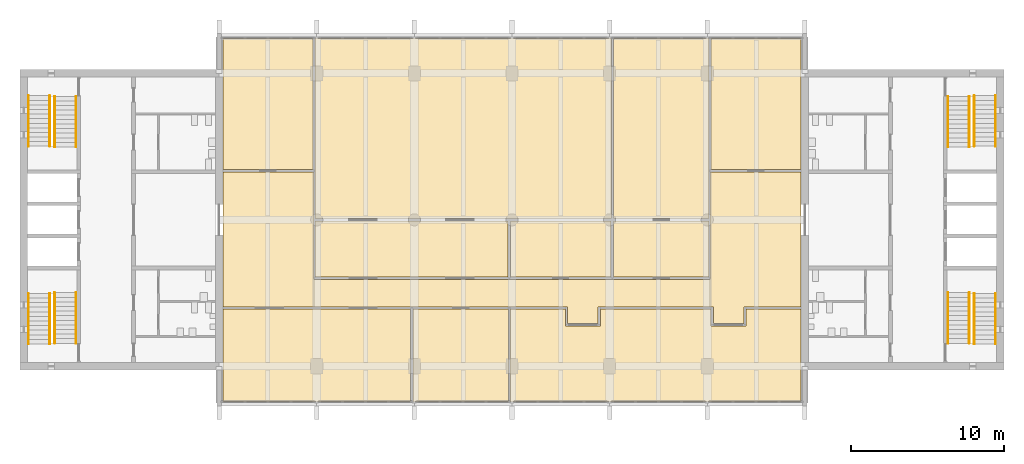
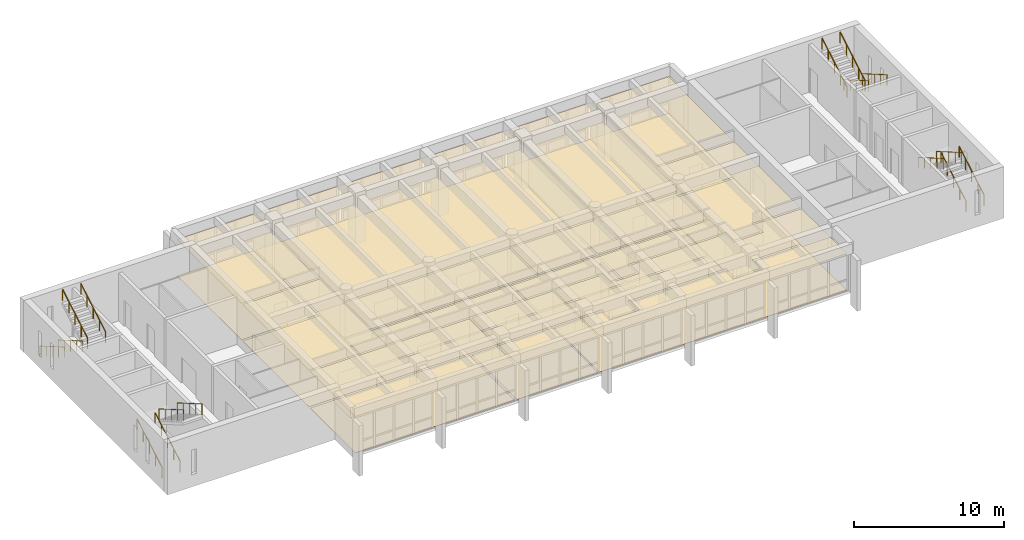
# One storey, part 14 of 15: 26 coverings, 16 railings.
"""IFC4 building model written with IfcOpenShell, lengths in metres."""

from ifc_helpers import new_model, si_unit, direction, frame, origin, origin_2d, place, context, subcontext, project, spatial, polyline, circle, outline, extrude, material, layer, layer_set, type_object, element, save


model = new_model("IFC4")

# Units and contexts
model_context = context("Model", 3, precision=1e-05, world=origin(), true_north=direction((0.0, 1.0)))
body_context = subcontext(model_context, "Body", "Model", "MODEL_VIEW")
ifc_project = project(units=[si_unit("LENGTHUNIT", "METRE"), si_unit("AREAUNIT", "SQUARE_METRE"), si_unit("VOLUMEUNIT", "CUBIC_METRE"), si_unit("PLANEANGLEUNIT", "RADIAN"), si_unit("MASSUNIT", "GRAM", prefix="KILO")], contexts=[model_context])

# Site, building, storey
site_placement = place(None, origin())
site = spatial("IfcSite", under=ifc_project, at=site_placement, CompositionType="ELEMENT")
building_placement = place(site_placement, origin())
building = spatial("IfcBuilding", under=site, at=building_placement, Name="Fogon Plaza Fire Station and Headquarters Tower", CompositionType="ELEMENT")
storey_placement = place(building_placement, frame((0.0, 0.0, 60.0)))
storey = spatial("IfcBuildingStorey", under=building, at=storey_placement, Name="L15", CompositionType="ELEMENT", Elevation=60.0)

# Railings
ifc_material_1 = material(Name="Steel", Category="steel")
railing_type = type_object("IfcRailingType", Name="Stair Handrail 900", PredefinedType="HANDRAIL", material=ifc_material_1)
for number, where, name in (
    (1, (13.10009765625, 35.06005859375, 0.175048828125), "Handrail ST1"),
    (2, (14.5, 35.06005859375, 0.175048828125), "Handrail ST1"),
):
    element("IfcRailing", number, at=place(storey_placement, frame(where)), inside=storey, type_object=railing_type, Name=name, PredefinedType="HANDRAIL", context=body_context, shape_type="SweptSolid", body=[
        extrude(circle(Radius=0.02392578125, at=origin_2d()), frame((0.0, 0.0, 0.8759765625), z_axis=(0.0, 0.864761289162, 0.502183146637), x_axis=(-1.0, 0.0, 0.0)), (0.0, 0.0, 1.0), 3.833251953125),
        extrude(circle(Radius=0.02099609375, at=origin_2d()), origin(), (0.0, 0.0, 1.0), 0.851806640625),
        extrude(circle(Radius=0.02099609375, at=origin_2d()), frame((0.0, 0.82861328125, 0.481201171875)), (0.0, 0.0, 1.0), 0.851806640625),
        extrude(circle(Radius=0.02099609375, at=origin_2d()), frame((0.0, 1.657470703125, 0.96240234375)), (0.0, 0.0, 1.0), 0.851806640625),
        extrude(circle(Radius=0.02099609375, at=origin_2d()), frame((0.0, 2.486328125, 1.44384765625)), (0.0, 0.0, 1.0), 0.851806640625),
        extrude(circle(Radius=0.02099609375, at=origin_2d()), frame((0.0, 3.31494140625, 1.925048828125)), (0.0, 0.0, 1.0), 0.851806640625),
    ])
for number, where, name in (
    (3, (16.22509765625, 38.425048828125, 2.27490234375), "Handrail ST1"),
    (4, (14.824951171875, 38.425048828125, 2.27490234375), "Handrail ST1"),
):
    element("IfcRailing", number, at=place(storey_placement, frame(where)), inside=storey, type_object=railing_type, Name=name, PredefinedType="HANDRAIL", context=body_context, shape_type="SweptSolid", body=[
        extrude(circle(Radius=0.02392578125, at=origin_2d()), frame((0.0, 0.0, 0.8759765625), z_axis=(0.0, -0.864761289162, 0.502183146637), x_axis=(1.0, 0.0, 0.0)), (0.0, 0.0, 1.0), 3.833251953125),
        extrude(circle(Radius=0.02099609375, at=origin_2d()), origin(), (0.0, 0.0, 1.0), 0.851806640625),
        extrude(circle(Radius=0.02099609375, at=origin_2d()), frame((0.0, -0.82861328125, 0.481201171875)), (0.0, 0.0, 1.0), 0.851806640625),
        extrude(circle(Radius=0.02099609375, at=origin_2d()), frame((0.0, -1.657470703125, 0.96240234375)), (0.0, 0.0, 1.0), 0.851806640625),
        extrude(circle(Radius=0.02099609375, at=origin_2d()), frame((0.0, -2.486328125, 1.44384765625)), (0.0, 0.0, 1.0), 0.851806640625),
        extrude(circle(Radius=0.02099609375, at=origin_2d()), frame((0.0, -3.31494140625, 1.925048828125)), (0.0, 0.0, 1.0), 0.851806640625),
    ])
for number, where, name in (
    (5, (13.10009765625, 51.340087890625, 0.175048828125), "Handrail ST2"),
    (6, (14.5, 51.340087890625, 0.175048828125), "Handrail ST2"),
):
    element("IfcRailing", number, at=place(storey_placement, frame(where)), inside=storey, type_object=railing_type, Name=name, PredefinedType="HANDRAIL", context=body_context, shape_type="SweptSolid", body=[
        extrude(circle(Radius=0.02392578125, at=origin_2d()), frame((0.0, 0.0, 0.8759765625), z_axis=(0.0, -0.864777349284, 0.502155490029), x_axis=(1.0, 0.0, 0.0)), (0.0, 0.0, 1.0), 3.83349609375),
        extrude(circle(Radius=0.02099609375, at=origin_2d()), origin(), (0.0, 0.0, 1.0), 0.851806640625),
        extrude(circle(Radius=0.02099609375, at=origin_2d()), frame((0.0, -0.828857421875, 0.481201171875)), (0.0, 0.0, 1.0), 0.851806640625),
        extrude(circle(Radius=0.02099609375, at=origin_2d()), frame((0.0, -1.65771484375, 0.96240234375)), (0.0, 0.0, 1.0), 0.851806640625),
        extrude(circle(Radius=0.02099609375, at=origin_2d()), frame((0.0, -2.486328125, 1.44384765625)), (0.0, 0.0, 1.0), 0.851806640625),
        extrude(circle(Radius=0.02099609375, at=origin_2d()), frame((0.0, -3.315185546875, 1.925048828125)), (0.0, 0.0, 1.0), 0.851806640625),
    ])
for number, where, name in (
    (7, (16.22509765625, 47.97509765625, 2.27490234375), "Handrail ST2"),
    (8, (14.824951171875, 47.97509765625, 2.27490234375), "Handrail ST2"),
    (9, (76.5, 35.06005859375, 0.175048828125), "Handrail ST3"),
    (10, (75.10009765625, 35.06005859375, 0.175048828125), "Handrail ST3"),
):
    element("IfcRailing", number, at=place(storey_placement, frame(where)), inside=storey, type_object=railing_type, Name=name, PredefinedType="HANDRAIL", context=body_context, shape_type="SweptSolid", body=[
        extrude(circle(Radius=0.02392578125, at=origin_2d()), frame((0.0, 0.0, 0.8759765625), z_axis=(0.0, 0.864761289162, 0.502183146637), x_axis=(-1.0, 0.0, 0.0)), (0.0, 0.0, 1.0), 3.833251953125),
        extrude(circle(Radius=0.02099609375, at=origin_2d()), origin(), (0.0, 0.0, 1.0), 0.851806640625),
        extrude(circle(Radius=0.02099609375, at=origin_2d()), frame((0.0, 0.82861328125, 0.481201171875)), (0.0, 0.0, 1.0), 0.851806640625),
        extrude(circle(Radius=0.02099609375, at=origin_2d()), frame((0.0, 1.657470703125, 0.96240234375)), (0.0, 0.0, 1.0), 0.851806640625),
        extrude(circle(Radius=0.02099609375, at=origin_2d()), frame((0.0, 2.486328125, 1.44384765625)), (0.0, 0.0, 1.0), 0.851806640625),
        extrude(circle(Radius=0.02099609375, at=origin_2d()), frame((0.0, 3.31494140625, 1.925048828125)), (0.0, 0.0, 1.0), 0.851806640625),
    ])
for number, where, name in (
    (11, (73.375, 38.425048828125, 2.27490234375), "Handrail ST3"),
    (12, (74.77490234375, 38.425048828125, 2.27490234375), "Handrail ST3"),
):
    element("IfcRailing", number, at=place(storey_placement, frame(where)), inside=storey, type_object=railing_type, Name=name, PredefinedType="HANDRAIL", context=body_context, shape_type="SweptSolid", body=[
        extrude(circle(Radius=0.02392578125, at=origin_2d()), frame((0.0, 0.0, 0.8759765625), z_axis=(0.0, -0.864761289162, 0.502183146637), x_axis=(1.0, 0.0, 0.0)), (0.0, 0.0, 1.0), 3.833251953125),
        extrude(circle(Radius=0.02099609375, at=origin_2d()), origin(), (0.0, 0.0, 1.0), 0.851806640625),
        extrude(circle(Radius=0.02099609375, at=origin_2d()), frame((0.0, -0.82861328125, 0.481201171875)), (0.0, 0.0, 1.0), 0.851806640625),
        extrude(circle(Radius=0.02099609375, at=origin_2d()), frame((0.0, -1.657470703125, 0.96240234375)), (0.0, 0.0, 1.0), 0.851806640625),
        extrude(circle(Radius=0.02099609375, at=origin_2d()), frame((0.0, -2.486328125, 1.44384765625)), (0.0, 0.0, 1.0), 0.851806640625),
        extrude(circle(Radius=0.02099609375, at=origin_2d()), frame((0.0, -3.31494140625, 1.925048828125)), (0.0, 0.0, 1.0), 0.851806640625),
    ])
for number, where, name in (
    (13, (76.5, 51.340087890625, 0.175048828125), "Handrail ST4"),
    (14, (75.10009765625, 51.340087890625, 0.175048828125), "Handrail ST4"),
):
    element("IfcRailing", number, at=place(storey_placement, frame(where)), inside=storey, type_object=railing_type, Name=name, PredefinedType="HANDRAIL", context=body_context, shape_type="SweptSolid", body=[
        extrude(circle(Radius=0.02392578125, at=origin_2d()), frame((0.0, 0.0, 0.8759765625), z_axis=(0.0, -0.864777349284, 0.502155490029), x_axis=(1.0, 0.0, 0.0)), (0.0, 0.0, 1.0), 3.83349609375),
        extrude(circle(Radius=0.02099609375, at=origin_2d()), origin(), (0.0, 0.0, 1.0), 0.851806640625),
        extrude(circle(Radius=0.02099609375, at=origin_2d()), frame((0.0, -0.828857421875, 0.481201171875)), (0.0, 0.0, 1.0), 0.851806640625),
        extrude(circle(Radius=0.02099609375, at=origin_2d()), frame((0.0, -1.65771484375, 0.96240234375)), (0.0, 0.0, 1.0), 0.851806640625),
        extrude(circle(Radius=0.02099609375, at=origin_2d()), frame((0.0, -2.486328125, 1.44384765625)), (0.0, 0.0, 1.0), 0.851806640625),
        extrude(circle(Radius=0.02099609375, at=origin_2d()), frame((0.0, -3.315185546875, 1.925048828125)), (0.0, 0.0, 1.0), 0.851806640625),
    ])
for number, where, name in (
    (15, (73.375, 47.97509765625, 2.27490234375), "Handrail ST4"),
    (16, (74.77490234375, 47.97509765625, 2.27490234375), "Handrail ST4"),
):
    element("IfcRailing", number, at=place(storey_placement, frame(where)), inside=storey, type_object=railing_type, Name=name, PredefinedType="HANDRAIL", context=body_context, shape_type="SweptSolid", body=[
        extrude(circle(Radius=0.02392578125, at=origin_2d()), frame((0.0, 0.0, 0.8759765625), z_axis=(0.0, 0.864761289162, 0.502183146637), x_axis=(-1.0, 0.0, 0.0)), (0.0, 0.0, 1.0), 3.833251953125),
        extrude(circle(Radius=0.02099609375, at=origin_2d()), origin(), (0.0, 0.0, 1.0), 0.851806640625),
        extrude(circle(Radius=0.02099609375, at=origin_2d()), frame((0.0, 0.82861328125, 0.481201171875)), (0.0, 0.0, 1.0), 0.851806640625),
        extrude(circle(Radius=0.02099609375, at=origin_2d()), frame((0.0, 1.657470703125, 0.96240234375)), (0.0, 0.0, 1.0), 0.851806640625),
        extrude(circle(Radius=0.02099609375, at=origin_2d()), frame((0.0, 2.486328125, 1.44384765625)), (0.0, 0.0, 1.0), 0.851806640625),
        extrude(circle(Radius=0.02099609375, at=origin_2d()), frame((0.0, 3.31494140625, 1.925048828125)), (0.0, 0.0, 1.0), 0.851806640625),
    ])

# Coverings
ifc_material_2 = material(Name="Carpet tile")
ifc_layer_1 = layer(ifc_material_2, 0.011962890625)
ifc_layer_set_1 = layer_set([ifc_layer_1], Name="Carpet tile")
covering_type_1 = type_object("IfcCoveringType", Name="Tower carpet tile floor", PredefinedType="FLOORING", material=ifc_layer_set_1)
covering_1_placement = place(storey_placement, origin())
element("IfcCovering", 17, at=covering_1_placement, inside=storey, type_object=covering_type_1, Name="cov-fl-L15-02", PredefinedType="FLOORING", context=body_context, shape_type="SweptSolid", body=[
    extrude(outline(polyline([(44.570068359375, 31.300048828125), (44.570068359375, 37.35009765625), (38.3076171875, 37.35009765625), (38.3076171875, 31.300048828125), (44.570068359375, 31.300048828125)])), origin(), (0.0, 0.0, 1.0), 0.011962890625),
])
covering_2_placement = place(storey_placement, origin())
element("IfcCovering", 18, at=covering_2_placement, inside=storey, type_object=covering_type_1, Name="cov-fl-L15-03", PredefinedType="FLOORING", context=body_context, shape_type="SweptSolid", body=[
    extrude(outline(polyline([(63.75, 31.300048828125), (63.75, 37.35009765625), (60.14990234375, 37.35009765625), (60.14990234375, 36.25), (57.85009765625, 36.25), (57.85009765625, 37.35009765625), (50.60009765625, 37.35009765625), (50.60009765625, 36.25), (48.300048828125, 36.25), (48.300048828125, 37.35009765625), (44.669921875, 37.35009765625), (44.669921875, 31.300048828125), (63.75, 31.300048828125)])), origin(), (0.0, 0.0, 1.0), 0.011962890625),
])
ifc_material_3 = material(Name="Ceramic tile")
ifc_layer_2 = layer(ifc_material_3, 0.02001953125)
ifc_layer_set_2 = layer_set([ifc_layer_2], Name="Ceramic tile")
covering_type_2 = type_object("IfcCoveringType", Name="Tower ceramic tile floor", PredefinedType="FLOORING", material=ifc_layer_set_2)
covering_3_placement = place(storey_placement, origin())
element("IfcCovering", 19, at=covering_3_placement, inside=storey, type_object=covering_type_2, Name="cov-fl-L15-05", PredefinedType="FLOORING", context=body_context, shape_type="SweptSolid", body=[
    extrude(outline(polyline([(51.304931640625, 39.449951171875), (51.304931640625, 43.125), (44.695068359375, 43.125), (44.695068359375, 39.449951171875), (51.304931640625, 39.449951171875)])), origin(), (0.0, 0.0, 1.0), 0.02001953125),
])
covering_4_placement = place(storey_placement, origin())
element("IfcCovering", 20, at=covering_4_placement, inside=storey, type_object=covering_type_2, Name="cov-fl-L15-06", PredefinedType="FLOORING", context=body_context, shape_type="SweptSolid", body=[
    extrude(outline(polyline([(57.705078125, 39.449951171875), (57.705078125, 43.125), (51.455078125, 43.125), (51.455078125, 39.449951171875), (57.705078125, 39.449951171875)])), origin(), (0.0, 0.0, 1.0), 0.02001953125),
])
covering_5_placement = place(storey_placement, origin())
element("IfcCovering", 21, at=covering_5_placement, inside=storey, type_object=covering_type_2, Name="cov-fl-L15-07", PredefinedType="FLOORING", context=body_context, shape_type="SweptSolid", body=[
    extrude(outline(polyline([(51.3173828125, 43.27490234375), (51.3173828125, 55.10009765625), (31.89501953125, 55.10009765625), (31.89501953125, 43.27490234375), (51.3173828125, 43.27490234375)])), origin(), (0.0, 0.0, 1.0), 0.02001953125),
])
covering_6_placement = place(storey_placement, origin())
element("IfcCovering", 22, at=covering_6_placement, inside=storey, type_object=covering_type_2, Name="cov-fl-L15-08", PredefinedType="FLOORING", context=body_context, shape_type="SweptSolid", body=[
    extrude(outline(polyline([(57.705078125, 43.27490234375), (57.705078125, 55.10009765625), (51.4423828125, 55.10009765625), (51.4423828125, 43.27490234375), (57.705078125, 43.27490234375)])), origin(), (0.0, 0.0, 1.0), 0.02001953125),
])
covering_7_placement = place(storey_placement, origin())
element("IfcCovering", 23, at=covering_7_placement, inside=storey, type_object=covering_type_2, Name="cov-fl-L15-09", PredefinedType="FLOORING", context=body_context, shape_type="SweptSolid", body=[
    extrude(outline(polyline([(31.7451171875, 46.5), (31.7451171875, 55.10009765625), (25.85009765625, 55.10009765625), (25.85009765625, 46.5), (31.7451171875, 46.5)])), origin(), (0.0, 0.0, 1.0), 0.02001953125),
])
ifc_material_4 = material(Name="Heavy duty carpet tile")
ifc_layer_3 = layer(ifc_material_4, 0.013916015625)
ifc_layer_set_3 = layer_set([ifc_layer_3], Name="Heavy duty carpet tile")
covering_type_3 = type_object("IfcCoveringType", Name="Tower corridor carpet floor", PredefinedType="FLOORING", material=ifc_layer_set_3)
covering_8_placement = place(storey_placement, origin())
element("IfcCovering", 24, at=covering_8_placement, inside=storey, type_object=covering_type_3, Name="cov-fl-L15-04", PredefinedType="FLOORING", context=body_context, shape_type="SweptSolid", body=[
    extrude(outline(polyline([(44.544921875, 39.449951171875), (44.544921875, 43.125), (31.89501953125, 43.125), (31.89501953125, 39.449951171875), (44.544921875, 39.449951171875)])), origin(), (0.0, 0.0, 1.0), 0.013916015625),
])
covering_9_placement = place(storey_placement, origin())
element("IfcCovering", 25, at=covering_9_placement, inside=storey, type_object=covering_type_3, Name="cov-fl-L15-11", PredefinedType="FLOORING", context=body_context, shape_type="SweptSolid", body=[
    extrude(outline(polyline([(31.820068359375, 37.5), (48.449951171875, 37.5), (48.449951171875, 36.39990234375), (50.449951171875, 36.39990234375), (50.449951171875, 37.5), (57.780029296875, 37.5), (57.780029296875, 39.300048828125), (31.820068359375, 39.300048828125), (31.820068359375, 37.5)])), origin(), (0.0, 0.0, 1.0), 0.013916015625),
])
covering_10_placement = place(storey_placement, origin())
element("IfcCovering", 26, at=covering_10_placement, inside=storey, type_object=covering_type_3, Name="cov-fl-L15-12", PredefinedType="FLOORING", context=body_context, shape_type="SweptSolid", body=[
    extrude(outline(polyline([(31.820068359375, 37.5), (31.820068359375, 46.35009765625), (25.85009765625, 46.35009765625), (25.85009765625, 37.5), (31.820068359375, 37.5)])), origin(), (0.0, 0.0, 1.0), 0.013916015625),
])
covering_11_placement = place(storey_placement, origin())
element("IfcCovering", 27, at=covering_11_placement, inside=storey, type_object=covering_type_3, Name="cov-fl-L15-13", PredefinedType="FLOORING", context=body_context, shape_type="SweptSolid", body=[
    extrude(outline(polyline([(57.780029296875, 37.5), (58.0, 37.5), (58.0, 36.39990234375), (60.0, 36.39990234375), (60.0, 37.5), (63.75, 37.5), (63.75, 46.35009765625), (57.780029296875, 46.35009765625), (57.780029296875, 37.5)])), origin(), (0.0, 0.0, 1.0), 0.013916015625),
])
ifc_material_5 = material(Name="Moisture resistant plasterboard ceiling")
ifc_layer_4 = layer(ifc_material_5, 0.034912109375)
ifc_layer_set_4 = layer_set([ifc_layer_4], Name="Moisture resistant plasterboard ceiling")
covering_type_4 = type_object("IfcCoveringType", Name="Tower moisture resistant ceiling", PredefinedType="CEILING", material=ifc_layer_set_4)
covering_12_placement = place(storey_placement, frame((0.0, 0.0, 2.965087890625)))
element("IfcCovering", 28, at=covering_12_placement, inside=storey, type_object=covering_type_4, Name="cov-cl-L15-05", PredefinedType="CEILING", context=body_context, shape_type="SweptSolid", body=[
    extrude(outline(polyline([(51.304931640625, 39.449951171875), (51.304931640625, 43.125), (44.695068359375, 43.125), (44.695068359375, 39.449951171875), (51.304931640625, 39.449951171875)])), origin(), (0.0, 0.0, 1.0), 0.034912109375),
])
covering_13_placement = place(storey_placement, frame((0.0, 0.0, 2.965087890625)))
element("IfcCovering", 29, at=covering_13_placement, inside=storey, type_object=covering_type_4, Name="cov-cl-L15-06", PredefinedType="CEILING", context=body_context, shape_type="SweptSolid", body=[
    extrude(outline(polyline([(57.705078125, 39.449951171875), (57.705078125, 43.125), (51.455078125, 43.125), (51.455078125, 39.449951171875), (57.705078125, 39.449951171875)])), origin(), (0.0, 0.0, 1.0), 0.034912109375),
])
covering_14_placement = place(storey_placement, frame((0.0, 0.0, 2.965087890625)))
element("IfcCovering", 30, at=covering_14_placement, inside=storey, type_object=covering_type_4, Name="cov-cl-L15-07", PredefinedType="CEILING", context=body_context, shape_type="SweptSolid", body=[
    extrude(outline(polyline([(51.3173828125, 43.27490234375), (51.3173828125, 55.10009765625), (31.89501953125, 55.10009765625), (31.89501953125, 43.27490234375), (51.3173828125, 43.27490234375)])), origin(), (0.0, 0.0, 1.0), 0.034912109375),
])
covering_15_placement = place(storey_placement, frame((0.0, 0.0, 2.965087890625)))
element("IfcCovering", 31, at=covering_15_placement, inside=storey, type_object=covering_type_4, Name="cov-cl-L15-08", PredefinedType="CEILING", context=body_context, shape_type="SweptSolid", body=[
    extrude(outline(polyline([(57.705078125, 43.27490234375), (57.705078125, 55.10009765625), (51.4423828125, 55.10009765625), (51.4423828125, 43.27490234375), (57.705078125, 43.27490234375)])), origin(), (0.0, 0.0, 1.0), 0.034912109375),
])
covering_16_placement = place(storey_placement, frame((0.0, 0.0, 2.965087890625)))
element("IfcCovering", 32, at=covering_16_placement, inside=storey, type_object=covering_type_4, Name="cov-cl-L15-09", PredefinedType="CEILING", context=body_context, shape_type="SweptSolid", body=[
    extrude(outline(polyline([(31.7451171875, 46.5), (31.7451171875, 55.10009765625), (25.85009765625, 55.10009765625), (25.85009765625, 46.5), (31.7451171875, 46.5)])), origin(), (0.0, 0.0, 1.0), 0.034912109375),
])
ifc_material_6 = material(Name="Plasterboard ceiling")
ifc_layer_5 = layer(ifc_material_6, 0.030029296875)
ifc_layer_set_5 = layer_set([ifc_layer_5], Name="Plasterboard ceiling")
covering_type_5 = type_object("IfcCoveringType", Name="Tower plasterboard ceiling", PredefinedType="CEILING", material=ifc_layer_set_5)
covering_17_placement = place(storey_placement, frame((0.0, 0.0, 2.969970703125)))
element("IfcCovering", 33, at=covering_17_placement, inside=storey, type_object=covering_type_5, Name="cov-cl-L15-04", PredefinedType="CEILING", context=body_context, shape_type="SweptSolid", body=[
    extrude(outline(polyline([(44.544921875, 39.449951171875), (44.544921875, 43.125), (31.89501953125, 43.125), (31.89501953125, 39.449951171875), (44.544921875, 39.449951171875)])), origin(), (0.0, 0.0, 1.0), 0.030029296875),
])
covering_18_placement = place(storey_placement, frame((0.0, 0.0, 2.969970703125)))
element("IfcCovering", 34, at=covering_18_placement, inside=storey, type_object=covering_type_5, Name="cov-cl-L15-11", PredefinedType="CEILING", context=body_context, shape_type="SweptSolid", body=[
    extrude(outline(polyline([(31.820068359375, 37.5), (48.449951171875, 37.5), (48.449951171875, 36.39990234375), (50.449951171875, 36.39990234375), (50.449951171875, 37.5), (57.780029296875, 37.5), (57.780029296875, 39.300048828125), (31.820068359375, 39.300048828125), (31.820068359375, 37.5)])), origin(), (0.0, 0.0, 1.0), 0.030029296875),
])
covering_19_placement = place(storey_placement, frame((0.0, 0.0, 2.969970703125)))
element("IfcCovering", 35, at=covering_19_placement, inside=storey, type_object=covering_type_5, Name="cov-cl-L15-12", PredefinedType="CEILING", context=body_context, shape_type="SweptSolid", body=[
    extrude(outline(polyline([(31.820068359375, 37.5), (31.820068359375, 46.35009765625), (25.85009765625, 46.35009765625), (25.85009765625, 37.5), (31.820068359375, 37.5)])), origin(), (0.0, 0.0, 1.0), 0.030029296875),
])
covering_20_placement = place(storey_placement, frame((0.0, 0.0, 2.969970703125)))
element("IfcCovering", 36, at=covering_20_placement, inside=storey, type_object=covering_type_5, Name="cov-cl-L15-13", PredefinedType="CEILING", context=body_context, shape_type="SweptSolid", body=[
    extrude(outline(polyline([(57.780029296875, 37.5), (58.0, 37.5), (58.0, 36.39990234375), (60.0, 36.39990234375), (60.0, 37.5), (63.75, 37.5), (63.75, 46.35009765625), (57.780029296875, 46.35009765625), (57.780029296875, 37.5)])), origin(), (0.0, 0.0, 1.0), 0.030029296875),
])
ifc_material_7 = material(Name="Rubber sports flooring")
ifc_layer_6 = layer(ifc_material_7, 0.014892578125)
ifc_layer_set_6 = layer_set([ifc_layer_6], Name="Rubber sports flooring")
covering_type_6 = type_object("IfcCoveringType", Name="Tower rubber sports floor", PredefinedType="FLOORING", material=ifc_layer_set_6)
covering_21_placement = place(storey_placement, origin())
element("IfcCovering", 37, at=covering_21_placement, inside=storey, type_object=covering_type_6, Name="cov-fl-L15-01", PredefinedType="FLOORING", context=body_context, shape_type="SweptSolid", body=[
    extrude(outline(polyline([(38.132568359375, 31.300048828125), (38.132568359375, 37.35009765625), (25.85009765625, 37.35009765625), (25.85009765625, 31.300048828125), (38.132568359375, 31.300048828125)])), origin(), (0.0, 0.0, 1.0), 0.014892578125),
])
ifc_material_8 = material(Name="Sealed cement screed")
ifc_layer_7 = layer(ifc_material_8, 0.030029296875)
ifc_layer_set_7 = layer_set([ifc_layer_7], Name="Sealed cement screed")
covering_type_7 = type_object("IfcCoveringType", Name="Tower sealed screed floor", PredefinedType="FLOORING", material=ifc_layer_set_7)
covering_22_placement = place(storey_placement, origin())
element("IfcCovering", 38, at=covering_22_placement, inside=storey, type_object=covering_type_7, Name="cov-fl-L15-10", PredefinedType="FLOORING", context=body_context, shape_type="SweptSolid", body=[
    extrude(outline(polyline([(63.75, 46.5), (63.75, 55.10009765625), (57.85498046875, 55.10009765625), (57.85498046875, 46.5), (63.75, 46.5)])), origin(), (0.0, 0.0, 1.0), 0.030029296875),
])
ifc_material_9 = material(Name="Mineral fibre ceiling tile")
ifc_layer_8 = layer(ifc_material_9, 0.0400390625)
ifc_layer_set_8 = layer_set([ifc_layer_8], Name="Mineral fibre ceiling tile")
covering_type_8 = type_object("IfcCoveringType", Name="Tower suspended tile ceiling", PredefinedType="CEILING", material=ifc_layer_set_8)
covering_23_placement = place(storey_placement, frame((0.0, 0.0, 2.9599609375)))
element("IfcCovering", 39, at=covering_23_placement, inside=storey, type_object=covering_type_8, Name="cov-cl-L15-01", PredefinedType="CEILING", context=body_context, shape_type="SweptSolid", body=[
    extrude(outline(polyline([(38.132568359375, 31.300048828125), (38.132568359375, 37.35009765625), (25.85009765625, 37.35009765625), (25.85009765625, 31.300048828125), (38.132568359375, 31.300048828125)])), origin(), (0.0, 0.0, 1.0), 0.0400390625),
])
covering_24_placement = place(storey_placement, frame((0.0, 0.0, 2.9599609375)))
element("IfcCovering", 40, at=covering_24_placement, inside=storey, type_object=covering_type_8, Name="cov-cl-L15-02", PredefinedType="CEILING", context=body_context, shape_type="SweptSolid", body=[
    extrude(outline(polyline([(44.570068359375, 31.300048828125), (44.570068359375, 37.35009765625), (38.3076171875, 37.35009765625), (38.3076171875, 31.300048828125), (44.570068359375, 31.300048828125)])), origin(), (0.0, 0.0, 1.0), 0.0400390625),
])
covering_25_placement = place(storey_placement, frame((0.0, 0.0, 2.9599609375)))
element("IfcCovering", 41, at=covering_25_placement, inside=storey, type_object=covering_type_8, Name="cov-cl-L15-03", PredefinedType="CEILING", context=body_context, shape_type="SweptSolid", body=[
    extrude(outline(polyline([(63.75, 31.300048828125), (63.75, 37.35009765625), (60.14990234375, 37.35009765625), (60.14990234375, 36.25), (57.85009765625, 36.25), (57.85009765625, 37.35009765625), (50.60009765625, 37.35009765625), (50.60009765625, 36.25), (48.300048828125, 36.25), (48.300048828125, 37.35009765625), (44.669921875, 37.35009765625), (44.669921875, 31.300048828125), (63.75, 31.300048828125)])), origin(), (0.0, 0.0, 1.0), 0.0400390625),
])
covering_26_placement = place(storey_placement, frame((0.0, 0.0, 2.9599609375)))
element("IfcCovering", 42, at=covering_26_placement, inside=storey, type_object=covering_type_8, Name="cov-cl-L15-10", PredefinedType="CEILING", context=body_context, shape_type="SweptSolid", body=[
    extrude(outline(polyline([(63.75, 46.5), (63.75, 55.10009765625), (57.85498046875, 55.10009765625), (57.85498046875, 46.5), (63.75, 46.5)])), origin(), (0.0, 0.0, 1.0), 0.0400390625),
])

save(model, "model.ifc")
